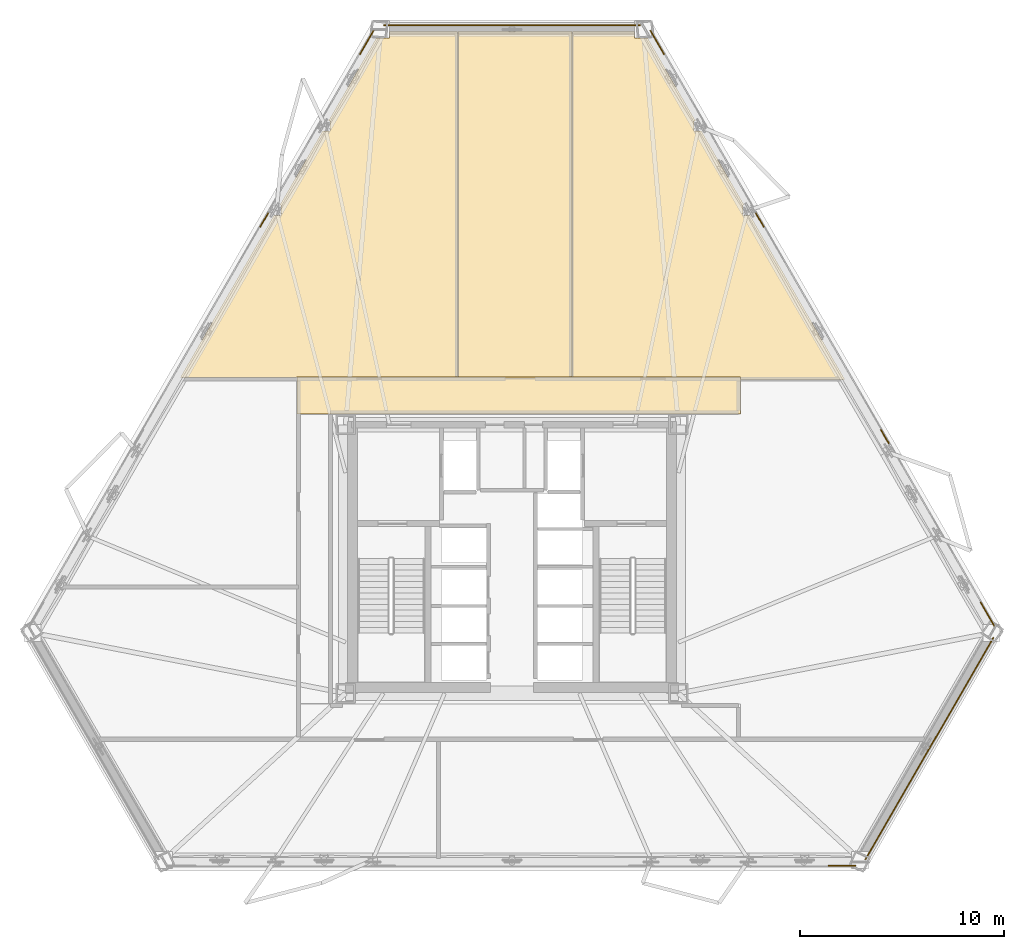
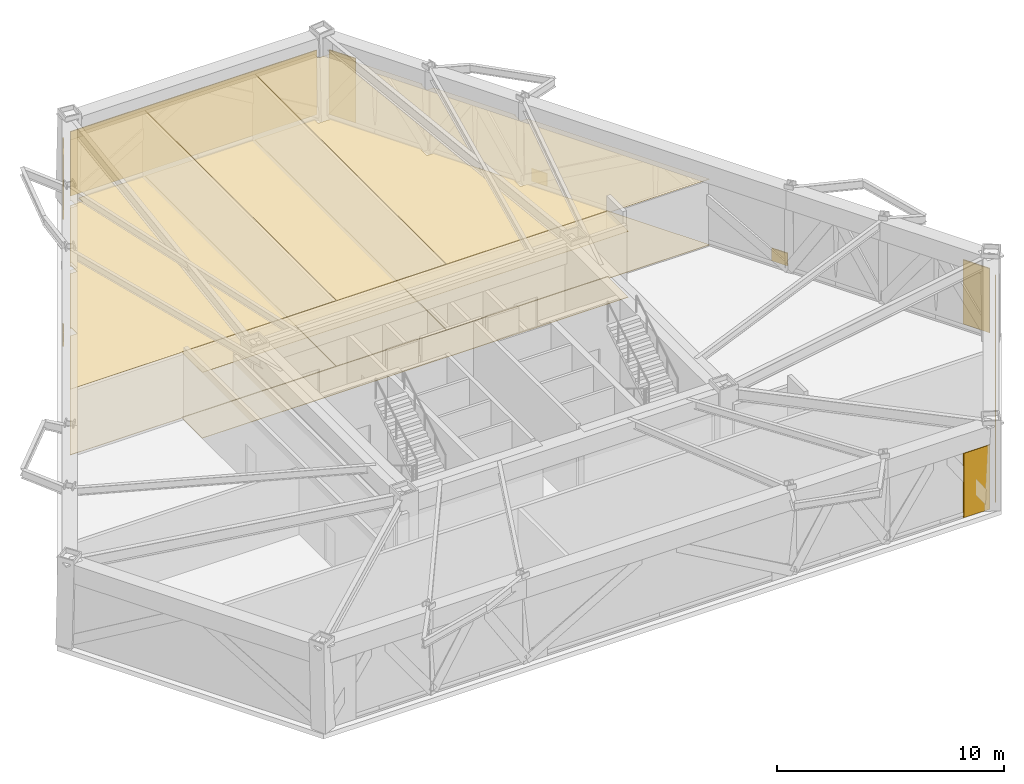
# One storey, part 11 of 11: 17 coverings.
"""IFC4 building model written with IfcOpenShell, lengths in metres."""

from ifc_helpers import new_model, si_unit, direction, frame, origin, origin_2d, place, context, subcontext, project, spatial, polyline, rectangle, outline, extrude, material, layer, layer_set, type_object, element, save


model = new_model("IFC4")

# Units and contexts
model_context = context("Model", 3, precision=1e-05, world=origin(), true_north=direction((0.0, 1.0)))
body_context = subcontext(model_context, "Body", "Model", "MODEL_VIEW")
ifc_project = project(units=[si_unit("LENGTHUNIT", "METRE"), si_unit("AREAUNIT", "SQUARE_METRE"), si_unit("VOLUMEUNIT", "CUBIC_METRE"), si_unit("PLANEANGLEUNIT", "RADIAN"), si_unit("MASSUNIT", "GRAM", prefix="KILO")], contexts=[model_context])

# Site, building, storey
site_placement = place(None, origin())
site = spatial("IfcSite", under=ifc_project, at=site_placement, CompositionType="ELEMENT")
building_placement = place(site_placement, origin())
building = spatial("IfcBuilding", under=site, at=building_placement, Name="Oramaril Tower", CompositionType="ELEMENT")
storey_placement = place(building_placement, frame((0.0, 0.0, 77.699951171875)))
storey = spatial("IfcBuildingStorey", under=building, at=storey_placement, Name="L20", CompositionType="ELEMENT", Elevation=77.699951171875)

# Coverings
ifc_material_1 = material(Name="Mineral Fibre Acoustic Ceiling")
ifc_layer_1 = layer(ifc_material_1, 0.02001953125)
ifc_layer_set_1 = layer_set([ifc_layer_1], Name="CVT-CEIL")
covering_type_1 = type_object("IfcCoveringType", Name="CVT-CEIL", PredefinedType="CEILING", material=ifc_layer_set_1)
covering_1_placement = place(storey_placement, frame((0.0, 0.0, 3.5419921875)))
element("IfcCovering", 1, at=covering_1_placement, inside=storey, type_object=covering_type_1, Name="L20 Acoustic Suspended Ceiling 2", PredefinedType="CEILING", context=body_context, shape_type="SweptSolid", body=[
    extrude(outline(polyline([(48.679931640625, 26.47998046875), (48.679931640625, 24.669921875), (26.969970703125, 24.669921875), (26.969970703125, 26.47998046875), (48.679931640625, 26.47998046875)])), origin(), (0.0, 0.0, 1.0), 0.02001953125),
])
covering_2_placement = place(storey_placement, frame((0.0, 0.0, 3.5419921875)))
element("IfcCovering", 2, at=covering_2_placement, inside=storey, type_object=covering_type_1, Name="L20 Acoustic Suspended Ceiling 8", PredefinedType="CEILING", context=body_context, shape_type="SweptSolid", body=[
    extrude(outline(polyline([(26.19970703125, 34.401123046875), (26.19970703125, 34.906494140625), (26.135986328125, 34.906494140625), (28.231689453125, 38.53662109375), (28.587158203125, 38.53662109375), (28.587158203125, 39.031494140625), (28.517578125, 39.031494140625), (30.854736328125, 43.07958984375), (31.498779296875, 43.07958984375), (31.498779296875, 43.401123046875), (34.842041015625, 43.401123046875), (34.842041015625, 26.5), (26.969970703125, 26.5), (26.968017578125, 26.5), (26.966064453125, 26.49951171875), (26.964111328125, 26.4990234375), (26.96240234375, 26.49853515625), (26.960693359375, 26.49755859375), (26.958984375, 26.49658203125), (26.957275390625, 26.49560546875), (26.955810546875, 26.494140625), (26.95458984375, 26.49267578125), (26.953369140625, 26.4912109375), (26.952392578125, 26.489501953125), (26.951416015625, 26.48779296875), (26.950927734375, 26.48583984375), (26.950439453125, 26.48388671875), (26.9501953125, 26.48193359375), (26.949951171875, 26.47998046875), (26.949951171875, 26.4619140625), (21.260498046875, 26.4619140625), (25.84423828125, 34.401123046875), (26.19970703125, 34.401123046875)])), origin(), (0.0, 0.0, 1.0), 0.02001953125),
])
covering_3_placement = place(storey_placement, frame((0.0, 0.0, 3.5419921875)))
element("IfcCovering", 3, at=covering_3_placement, inside=storey, type_object=covering_type_1, Name="L20 Acoustic Suspended Ceiling 9", PredefinedType="CEILING", context=body_context, shape_type="SweptSolid", body=[
    extrude(outline(polyline([(40.44189453125, 43.401123046875), (40.44189453125, 26.5), (34.862060546875, 26.5), (34.862060546875, 43.401123046875), (40.44189453125, 43.401123046875)])), origin(), (0.0, 0.0, 1.0), 0.02001953125),
])
covering_4_placement = place(storey_placement, frame((0.0, 0.0, 3.5419921875)))
element("IfcCovering", 4, at=covering_4_placement, inside=storey, type_object=covering_type_1, Name="L20 Acoustic Suspended Ceiling 10", PredefinedType="CEILING", context=body_context, shape_type="SweptSolid", body=[
    extrude(outline(polyline([(43.501220703125, 43.401123046875), (43.501220703125, 43.07958984375), (44.145263671875, 43.07958984375), (46.482421875, 39.031494140625), (46.412841796875, 39.031494140625), (46.412841796875, 38.53662109375), (46.768310546875, 38.53662109375), (48.864013671875, 34.906494140625), (48.80029296875, 34.906494140625), (48.80029296875, 34.401123046875), (49.15576171875, 34.401123046875), (53.799560546875, 26.35791015625), (48.699951171875, 26.35791015625), (48.699951171875, 26.47998046875), (48.699951171875, 26.48193359375), (48.69970703125, 26.48388671875), (48.69921875, 26.48583984375), (48.698486328125, 26.48779296875), (48.697509765625, 26.489501953125), (48.696533203125, 26.4912109375), (48.695556640625, 26.49267578125), (48.694091796875, 26.494140625), (48.692626953125, 26.49560546875), (48.691162109375, 26.49658203125), (48.689453125, 26.49755859375), (48.687744140625, 26.49853515625), (48.685791015625, 26.4990234375), (48.683837890625, 26.49951171875), (48.681884765625, 26.5), (48.679931640625, 26.5), (40.4619140625, 26.5), (40.4619140625, 43.401123046875), (43.501220703125, 43.401123046875)])), origin(), (0.0, 0.0, 1.0), 0.02001953125),
])
ifc_material_2 = material(Name="Warm Cream Limestone", Category="masonry")
ifc_layer_2 = layer(ifc_material_2, 0.050048828125)
ifc_layer_set_2 = layer_set([ifc_layer_2], Name="CVT-CLD")
covering_type_2 = type_object("IfcCoveringType", Name="CVT-CLD", PredefinedType="CLADDING", material=ifc_layer_set_2)
covering_5_placement = place(storey_placement, frame((53.661865234375, 2.55419921875, 0.0400390625), z_axis=(0.0, 0.0, 1.0), x_axis=(1.0, 0.0, 0.0)))
element("IfcCovering", 5, at=covering_5_placement, inside=storey, type_object=covering_type_2, Name="L20 Warm Cream Limestone Cladding", PredefinedType="CLADDING", context=body_context, shape_type="SweptSolid", body=[
    extrude(rectangle(XDim=1.35009765625, YDim=0.050048828125, at=origin_2d()), origin(), (0.0, 0.0, 1.0), 3.469970703125),
])
covering_6_placement = place(storey_placement, frame((57.93994140625, 8.299072265625, 0.0400390625), z_axis=(0.0, 0.0, 1.0), x_axis=(0.499992442484, 0.866029767075, 0.0)))
element("IfcCovering", 6, at=covering_6_placement, inside=storey, type_object=covering_type_2, Name="L20 Warm Cream Limestone Cladding", PredefinedType="CLADDING", context=body_context, shape_type="SweptSolid", body=[
    extrude(rectangle(XDim=12.5439453125, YDim=0.050048828125, at=origin_2d()), origin(), (0.0, 0.0, 1.0), 3.469970703125),
])
for number, where, z_axis, x_axis, name in (
    (7, (60.77587890625, 14.876220703125, 0.0400390625), (0.0, 0.0, 1.0), (-0.4999984885, 0.866026276448, 0.0), "L20 Warm Cream Limestone Cladding"),
    (8, (44.614013671875, 42.869384765625, 0.0400390625), (0.0, 0.0, 1.0), (-0.4999984885, 0.866026276448, 0.0), "L20 Warm Cream Limestone Cladding"),
):
    element("IfcCovering", number, at=place(storey_placement, frame(where, z_axis=z_axis, x_axis=x_axis)), inside=storey, type_object=covering_type_2, Name=name, PredefinedType="CLADDING", context=body_context, shape_type="SweptSolid", body=[
        extrude(rectangle(XDim=1.35009765625, YDim=0.050048828125, at=origin_2d()), origin(), (0.0, 0.0, 1.0), 3.469970703125),
    ])
for number, where, z_axis, x_axis, name in (
    (9, (55.757080078125, 23.569091796875, 0.0400390625), (0.0, 0.0, 1.0), (-0.4999984885, 0.866026276448, 0.0), "L20 Warm Cream Limestone Spandrel Cladding"),
    (10, (49.6328125, 34.1767578125, 0.0400390625), (0.0, 0.0, 1.0), (-0.4999984885, 0.866026276448, 0.0), "L20 Warm Cream Limestone Spandrel Cladding"),
):
    element("IfcCovering", number, at=place(storey_placement, frame(where, z_axis=z_axis, x_axis=x_axis)), inside=storey, type_object=covering_type_2, Name=name, PredefinedType="CLADDING", context=body_context, shape_type="SweptSolid", body=[
        extrude(rectangle(XDim=0.800048828125, YDim=0.050048828125, at=origin_2d()), origin(), (0.0, 0.0, 1.0), 0.679931640625),
    ])
covering_7_placement = place(storey_placement, frame((37.5, 43.7021484375, 0.0400390625), z_axis=(0.0, 0.0, 1.0), x_axis=(-1.0, 0.0, 0.0)))
element("IfcCovering", 11, at=covering_7_placement, inside=storey, type_object=covering_type_2, Name="L20 Warm Cream Limestone Cladding", PredefinedType="CLADDING", context=body_context, shape_type="SweptSolid", body=[
    extrude(rectangle(XDim=12.5439453125, YDim=0.050048828125, at=origin_2d()), origin(), (0.0, 0.0, 1.0), 3.469970703125),
])
covering_8_placement = place(storey_placement, frame((30.385986328125, 42.869384765625, 0.0400390625), z_axis=(0.0, 0.0, 1.0), x_axis=(-0.4999984885, -0.866026276448, 0.0)))
element("IfcCovering", 12, at=covering_8_placement, inside=storey, type_object=covering_type_2, Name="L20 Warm Cream Limestone Cladding", PredefinedType="CLADDING", context=body_context, shape_type="SweptSolid", body=[
    extrude(rectangle(XDim=1.35009765625, YDim=0.050048828125, at=origin_2d()), origin(), (0.0, 0.0, 1.0), 3.469970703125),
])
covering_9_placement = place(storey_placement, frame((25.3671875, 34.1767578125, 0.0400390625), z_axis=(0.0, 0.0, 1.0), x_axis=(-0.4999984885, -0.866026276448, 0.0)))
element("IfcCovering", 13, at=covering_9_placement, inside=storey, type_object=covering_type_2, Name="L20 Warm Cream Limestone Spandrel Cladding", PredefinedType="CLADDING", context=body_context, shape_type="SweptSolid", body=[
    extrude(rectangle(XDim=0.800048828125, YDim=0.050048828125, at=origin_2d()), origin(), (0.0, 0.0, 1.0), 0.679931640625),
])
ifc_material_3 = material(Name="Honed Quartzite Stone Flooring", Category="masonry")
ifc_layer_3 = layer(ifc_material_3, 0.02490234375)
ifc_layer_set_3 = layer_set([ifc_layer_3], Name="CVT-FLR")
covering_type_3 = type_object("IfcCoveringType", Name="CVT-FLR", PredefinedType="FLOORING", material=ifc_layer_set_3)
covering_10_placement = place(storey_placement, origin())
element("IfcCovering", 14, at=covering_10_placement, inside=storey, type_object=covering_type_3, Name="L20 Honed Stone Floor Finish 2", PredefinedType="FLOORING", context=body_context, shape_type="SweptSolid", body=[
    extrude(outline(polyline([(48.679931640625, 26.47998046875), (48.679931640625, 24.669921875), (26.969970703125, 24.669921875), (26.969970703125, 26.47998046875), (48.679931640625, 26.47998046875)])), origin(), (0.0, 0.0, 1.0), 0.025146484375),
])
covering_11_placement = place(storey_placement, origin())
element("IfcCovering", 15, at=covering_11_placement, inside=storey, type_object=covering_type_3, Name="L20 Honed Stone Floor Finish 8", PredefinedType="FLOORING", context=body_context, shape_type="SweptSolid", body=[
    extrude(outline(polyline([(26.19970703125, 34.401123046875), (26.19970703125, 34.906494140625), (26.135986328125, 34.906494140625), (28.231689453125, 38.53662109375), (28.587158203125, 38.53662109375), (28.587158203125, 39.031494140625), (28.517578125, 39.031494140625), (30.854736328125, 43.07958984375), (31.498779296875, 43.07958984375), (31.498779296875, 43.401123046875), (34.842041015625, 43.401123046875), (34.842041015625, 26.5), (26.969970703125, 26.5), (26.968017578125, 26.5), (26.966064453125, 26.49951171875), (26.964111328125, 26.4990234375), (26.96240234375, 26.49853515625), (26.960693359375, 26.49755859375), (26.958984375, 26.49658203125), (26.957275390625, 26.49560546875), (26.955810546875, 26.494140625), (26.95458984375, 26.49267578125), (26.953369140625, 26.4912109375), (26.952392578125, 26.489501953125), (26.951416015625, 26.48779296875), (26.950927734375, 26.48583984375), (26.950439453125, 26.48388671875), (26.9501953125, 26.48193359375), (26.949951171875, 26.47998046875), (26.949951171875, 26.4619140625), (21.260498046875, 26.4619140625), (25.84423828125, 34.401123046875), (26.19970703125, 34.401123046875)])), origin(), (0.0, 0.0, 1.0), 0.025146484375),
])
covering_12_placement = place(storey_placement, origin())
element("IfcCovering", 16, at=covering_12_placement, inside=storey, type_object=covering_type_3, Name="L20 Honed Stone Floor Finish 9", PredefinedType="FLOORING", context=body_context, shape_type="SweptSolid", body=[
    extrude(outline(polyline([(40.44189453125, 43.401123046875), (40.44189453125, 26.5), (34.862060546875, 26.5), (34.862060546875, 43.401123046875), (40.44189453125, 43.401123046875)])), origin(), (0.0, 0.0, 1.0), 0.025146484375),
])
covering_13_placement = place(storey_placement, origin())
element("IfcCovering", 17, at=covering_13_placement, inside=storey, type_object=covering_type_3, Name="L20 Honed Stone Floor Finish 10", PredefinedType="FLOORING", context=body_context, shape_type="SweptSolid", body=[
    extrude(outline(polyline([(43.501220703125, 43.401123046875), (43.501220703125, 43.07958984375), (44.145263671875, 43.07958984375), (46.482421875, 39.031494140625), (46.412841796875, 39.031494140625), (46.412841796875, 38.53662109375), (46.768310546875, 38.53662109375), (48.864013671875, 34.906494140625), (48.80029296875, 34.906494140625), (48.80029296875, 34.401123046875), (49.15576171875, 34.401123046875), (53.799560546875, 26.35791015625), (48.699951171875, 26.35791015625), (48.699951171875, 26.47998046875), (48.699951171875, 26.48193359375), (48.69970703125, 26.48388671875), (48.69921875, 26.48583984375), (48.698486328125, 26.48779296875), (48.697509765625, 26.489501953125), (48.696533203125, 26.4912109375), (48.695556640625, 26.49267578125), (48.694091796875, 26.494140625), (48.692626953125, 26.49560546875), (48.691162109375, 26.49658203125), (48.689453125, 26.49755859375), (48.687744140625, 26.49853515625), (48.685791015625, 26.4990234375), (48.683837890625, 26.49951171875), (48.681884765625, 26.5), (48.679931640625, 26.5), (40.4619140625, 26.5), (40.4619140625, 43.401123046875), (43.501220703125, 43.401123046875)])), origin(), (0.0, 0.0, 1.0), 0.025146484375),
])

save(model, "model.ifc")
